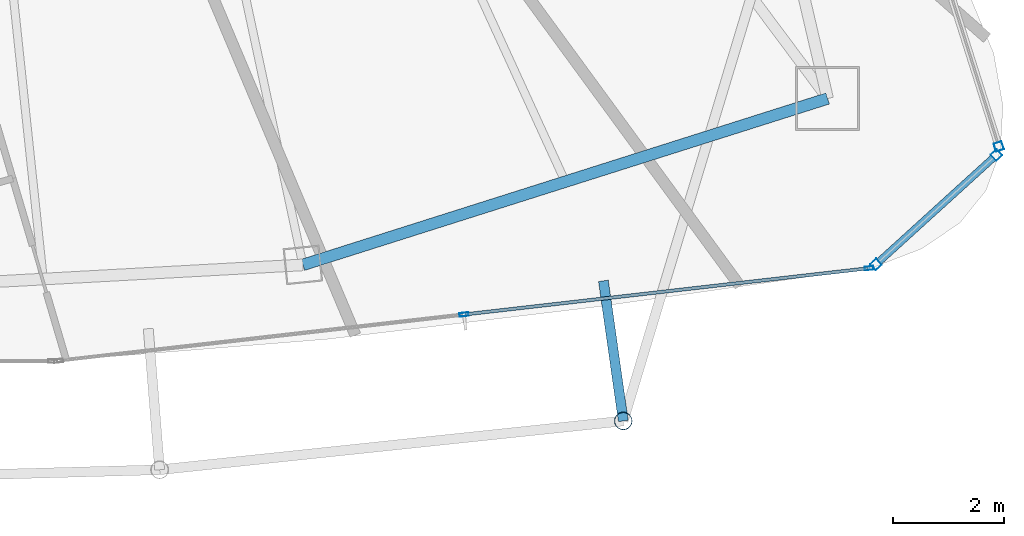
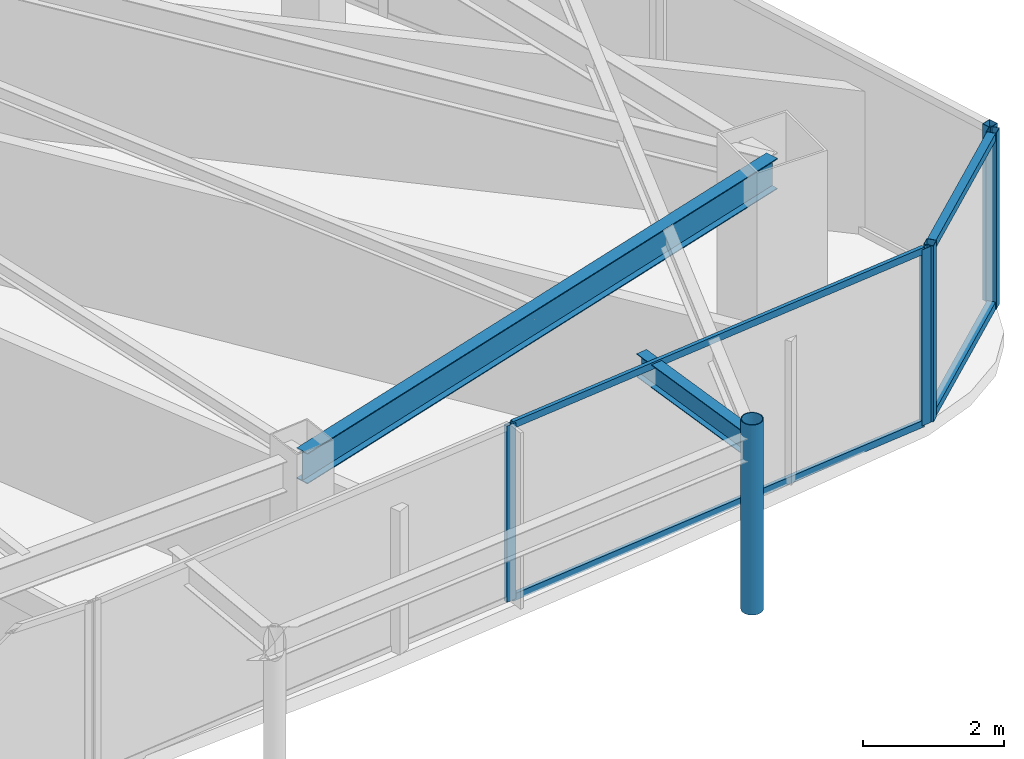
# One storey, part 14 of 28: 10 members, 2 beams, 3 elements without a shape of their own.
"""IFC4 building model written with IfcOpenShell, lengths in metres."""

from ifc_helpers import new_model, si_unit, direction, frame, origin, origin_2d, place, context, subcontext, project, spatial, hollow_rectangle, hollow_circle, i_section, extrude, material, layer, layer_set, material_profile, profile_set, type_object, element, aggregate, save


model = new_model("IFC4")

# Units and contexts
model_context = context("Model", 3, precision=1e-05, world=origin(), true_north=direction((0.0, 1.0)))
body_context = subcontext(model_context, "Body", "Model", "MODEL_VIEW")
ifc_project = project(units=[si_unit("LENGTHUNIT", "METRE"), si_unit("AREAUNIT", "SQUARE_METRE"), si_unit("VOLUMEUNIT", "CUBIC_METRE"), si_unit("PLANEANGLEUNIT", "RADIAN"), si_unit("MASSUNIT", "GRAM", prefix="KILO")], contexts=[model_context])

# Site, building, storey
site_placement = place(None, origin())
site = spatial("IfcSite", under=ifc_project, at=site_placement, CompositionType="ELEMENT")
building_placement = place(site_placement, origin())
building = spatial("IfcBuilding", under=site, at=building_placement, Name="Orvanel Arch Residences", CompositionType="ELEMENT")
storey_placement = place(building_placement, frame((0.0, 0.0, 260.14990234375)))
storey = spatial("IfcBuildingStorey", under=building, at=storey_placement, Name="L74", CompositionType="ELEMENT", Elevation=260.14990234375)

# Curtain wall, members
ifc_material_1 = material(Name="Bronze-anodised aluminium AA6063-T6", Category="aluminium")
ifc_layer_1 = layer(ifc_material_1, 0.18994140625)
ifc_layer_set_1 = layer_set([ifc_layer_1], Name="Bronze-anodised aluminium AA6063-T6")
curtain_wall_type_1 = type_object("IfcCurtainWallType", Name="CW5-CRN-SYS", PredefinedType="NOTDEFINED", material=ifc_layer_set_1)
curtain_wall_1_placement = place(storey_placement, origin())
curtain_wall_1 = element("IfcCurtainWall", 1, at=curtain_wall_1_placement, inside=storey, type_object=curtain_wall_type_1, Name="L74 CW5-CRN-SYS Unitised Curtain Wall", PredefinedType="NOTDEFINED")
ifc_material_profile_1 = material_profile(ifc_material_1, hollow_rectangle(XDim=0.14990234375, YDim=0.14990234375, WallThickness=0.0048828125, at=origin_2d()), Name="ALU150x150x5")
ifc_profile_set_1 = profile_set([ifc_material_profile_1], Name="Bronze-anodised aluminium AA6063-T6")
member_type_1 = type_object("IfcMemberType", Name="MUL-150x150", PredefinedType="MULLION", material=ifc_profile_set_1)
member_1_placement = place(storey_placement, frame((52.672607421875, 7.364501953125, 0.0), z_axis=(0.0, 0.0, 1.0), x_axis=(-0.672365707037, 0.740219127016, 0.0)))
member_1 = element("IfcMember", 2, at=member_1_placement, type_object=member_type_1, Name="CW-S5 mullion 1", PredefinedType="MULLION", context=body_context, shape_type="SweptSolid", body=[
    extrude(hollow_rectangle(XDim=0.14990234375, YDim=0.14990234375, WallThickness=0.0048828125, at=origin_2d()), origin(), (0.0, 0.0, 1.0), 3.06005859375),
])
member_2_placement = place(storey_placement, frame((54.841552734375, 9.33447265625, 0.0), z_axis=(0.0, 0.0, 1.0), x_axis=(-0.672365707037, 0.740219127016, 0.0)))
member_2 = element("IfcMember", 3, at=member_2_placement, type_object=member_type_1, Name="CW-S5 mullion 2", PredefinedType="MULLION", context=body_context, shape_type="SweptSolid", body=[
    extrude(hollow_rectangle(XDim=0.14990234375, YDim=0.14990234375, WallThickness=0.0048828125, at=origin_2d()), origin(), (0.0, 0.0, 1.0), 3.06005859375),
])

# Curtain wall, member
curtain_wall_2_placement = place(storey_placement, origin())
curtain_wall_2 = element("IfcCurtainWall", 4, at=curtain_wall_2_placement, inside=storey, type_object=curtain_wall_type_1, Name="L74 CW5-CRN-SYS Unitised Curtain Wall", PredefinedType="NOTDEFINED")
member_3_placement = place(storey_placement, frame((54.88330078125, 9.488525390625, 0.0), z_axis=(0.0, 0.0, 1.0), x_axis=(-0.953425503375, -0.30162859532, 0.0)))
member_3 = element("IfcMember", 5, at=member_3_placement, type_object=member_type_1, Name="CW-S5 mullion 1", PredefinedType="MULLION", context=body_context, shape_type="SweptSolid", body=[
    extrude(hollow_rectangle(XDim=0.14990234375, YDim=0.14990234375, WallThickness=0.0048828125, at=origin_2d()), origin(), (0.0, 0.0, 1.0), 3.06005859375),
])
aggregate(curtain_wall_2, [member_3])

# Curtain wall, members
ifc_layer_2 = layer(ifc_material_1, 0.175048828125)
ifc_layer_set_2 = layer_set([ifc_layer_2], Name="Bronze-anodised aluminium AA6063-T6")
curtain_wall_type_2 = type_object("IfcCurtainWallType", Name="CW4-HI-SYS", PredefinedType="NOTDEFINED", material=ifc_layer_set_2)
curtain_wall_3_placement = place(storey_placement, origin())
curtain_wall_3 = element("IfcCurtainWall", 6, at=curtain_wall_3_placement, inside=storey, type_object=curtain_wall_type_2, Name="L74 CW4-HI-SYS Unitised Curtain Wall", PredefinedType="NOTDEFINED")
ifc_material_profile_2 = material_profile(ifc_material_1, hollow_rectangle(XDim=0.06494140625, YDim=0.159912109375, WallThickness=0.00390625, at=origin_2d()), Name="ALU160x65x4")
ifc_profile_set_2 = profile_set([ifc_material_profile_2], Name="Bronze-anodised aluminium AA6063-T6")
member_type_2 = type_object("IfcMemberType", Name="MUL-160x65", PredefinedType="MULLION", material=ifc_profile_set_2)
member_4_placement = place(storey_placement, frame((45.25146484375, 6.46142578125, 0.0), z_axis=(0.0, 0.0, 1.0), x_axis=(-0.113510277415, 0.993536822126, 0.0)))
member_4 = element("IfcMember", 7, at=member_4_placement, type_object=member_type_2, Name="CW-S4 mullion 2", PredefinedType="MULLION", context=body_context, shape_type="SweptSolid", body=[
    extrude(hollow_rectangle(XDim=0.06494140625, YDim=0.159912109375, WallThickness=0.00390625, at=origin_2d()), origin(), (0.0, 0.0, 1.0), 3.06005859375),
])
member_5_placement = place(storey_placement, frame((52.5498046875, 7.29541015625, 0.0), z_axis=(0.0, 0.0, 1.0), x_axis=(-0.113510277415, 0.993536822126, 0.0)))
member_5 = element("IfcMember", 8, at=member_5_placement, type_object=member_type_2, Name="CW-S4 mullion 3", PredefinedType="MULLION", context=body_context, shape_type="SweptSolid", body=[
    extrude(hollow_rectangle(XDim=0.06494140625, YDim=0.159912109375, WallThickness=0.00390625, at=origin_2d()), origin(), (0.0, 0.0, 1.0), 3.06005859375),
])

# Beams
ifc_material_2 = material(Name="Structural steel AS/NZS 3679.1 Grade 300 (300 MPa)", Category="steel")
ifc_material_profile_3 = material_profile(ifc_material_2, i_section(OverallWidth=0.177978515625, OverallDepth=0.406005859375, WebThickness=0.0078125, FlangeThickness=0.0126953125, at=origin_2d()), Name="410UB59.7")
ifc_profile_set_3 = profile_set([ifc_material_profile_3], Name="Structural steel AS/NZS 3679.1 Grade 300 (300 MPa)")
beam_type_1 = type_object("IfcBeamType", Name="OB-410UB-EXT", PredefinedType="SPANDREL", material=ifc_profile_set_3)
beam_1_placement = place(storey_placement, frame((47.762939453125, 7.068115234375, 2.857177734375), z_axis=(0.140482825282, -0.990083115602, 0.0), x_axis=(0.990083115602, 0.140482825282, 0.0)))
element("IfcBeam", 9, at=beam_1_placement, inside=storey, type_object=beam_type_1, Name="L74 Outer Frame Radial Tie Beam 08", PredefinedType="SPANDREL", context=body_context, shape_type="SweptSolid", body=[
    extrude(i_section(OverallWidth=0.177978515625, OverallDepth=0.406005859375, WebThickness=0.0078125, FlangeThickness=0.0126953125, at=origin_2d()), origin(), (0.0, 0.0, 1.0), 2.549560546875),
])
ifc_material_profile_4 = material_profile(ifc_material_2, i_section(OverallWidth=0.208984375, OverallDepth=0.532958984375, WebThickness=0.01025390625, FlangeThickness=0.015625, at=origin_2d()), Name="530UB92.4")
ifc_profile_set_4 = profile_set([ifc_material_profile_4], Name="Structural steel AS/NZS 3679.1 Grade 300 (300 MPa)")
beam_type_2 = type_object("IfcBeamType", Name="SP-530UB", PredefinedType="SPANDREL", material=ifc_profile_set_4)
beam_2_placement = place(storey_placement, frame((42.35107421875, 7.35498046875, 2.793212890625), z_axis=(0.953237386592, 0.302222574941, 0.0), x_axis=(-0.302222574941, 0.953237386592, 0.0)))
element("IfcBeam", 10, at=beam_2_placement, inside=storey, type_object=beam_type_2, Name="L74 Perimeter Spandrel Beam 05", PredefinedType="SPANDREL", context=body_context, shape_type="SweptSolid", body=[
    extrude(i_section(OverallWidth=0.208984375, OverallDepth=0.532958984375, WebThickness=0.01025390625, FlangeThickness=0.015625, at=origin_2d()), origin(), (0.0, 0.0, 1.0), 9.91357421875),
])

# Member
ifc_material_3 = material(Name="Structural steel AS/NZS 1163 C350L0 (Grade 350)", Category="steel")
ifc_material_profile_5 = material_profile(ifc_material_3, hollow_circle(Radius=0.162109375, WallThickness=0.0126953125, at=origin_2d()), Name="CHS324x12.7")
ifc_profile_set_5 = profile_set([ifc_material_profile_5], Name="Structural steel AS/NZS 1163 C350L0 (Grade 350)")
member_type_3 = type_object("IfcMemberType", Name="ST-324CHS-EXT", PredefinedType="STRUT", material=ifc_profile_set_5)
member_6_placement = place(storey_placement, frame((48.12109375, 4.5439453125, 0.0), z_axis=(0.0, 0.0, 1.0), x_axis=(1.0, 0.0, 0.0)))
element("IfcMember", 11, at=member_6_placement, inside=storey, type_object=member_type_3, Name="L74 Outer Perimeter Frame Post 08", PredefinedType="STRUT", context=body_context, shape_type="SweptSolid", body=[
    extrude(hollow_circle(Radius=0.162109375, WallThickness=0.0126953125, at=origin_2d()), origin(), (0.0, 0.0, 1.0), 3.300048828125),
])

ifc_material_profile_6 = material_profile(ifc_material_1, hollow_rectangle(XDim=0.06005859375, YDim=0.1201171875, WallThickness=0.00341796875, at=origin_2d()), Name="ALU120x60x3.5")
ifc_profile_set_6 = profile_set([ifc_material_profile_6], Name="Bronze-anodised aluminium AA6063-T6")
member_type_4 = type_object("IfcMemberType", Name="TRN-120x60", PredefinedType="USERDEFINED", material=ifc_profile_set_6)
member_7_placement = place(storey_placement, frame((45.28369140625, 6.465087890625, 0.030029296875), z_axis=(0.993537103282, 0.113507816484, 0.0), x_axis=(-0.113507816484, 0.993537103282, 0.0)))
member_7 = element("IfcMember", 12, at=member_7_placement, type_object=member_type_4, Name="CW-S4 transom 2.1", ObjectType="TRANSOM", PredefinedType="USERDEFINED", context=body_context, shape_type="SweptSolid", body=[
    extrude(hollow_rectangle(XDim=0.06005859375, YDim=0.1201171875, WallThickness=0.00341796875, at=origin_2d()), origin(), (0.0, 0.0, 1.0), 7.28076171875),
])

member_8_placement = place(storey_placement, frame((45.28369140625, 6.465087890625, 3.030029296875), z_axis=(0.993537103282, 0.113507816484, 0.0), x_axis=(-0.113507816484, 0.993537103282, 0.0)))
member_8 = element("IfcMember", 13, at=member_8_placement, type_object=member_type_4, Name="CW-S4 transom 2.2", ObjectType="TRANSOM", PredefinedType="USERDEFINED", context=body_context, shape_type="SweptSolid", body=[
    extrude(hollow_rectangle(XDim=0.06005859375, YDim=0.1201171875, WallThickness=0.00341796875, at=origin_2d()), origin(), (0.0, 0.0, 1.0), 7.28076171875),
])

aggregate(curtain_wall_3, [member_4, member_5, member_7, member_8])

ifc_material_profile_7 = material_profile(ifc_material_1, hollow_rectangle(XDim=0.1298828125, YDim=0.1298828125, WallThickness=0.00439453125, at=origin_2d()), Name="ALU130x130x4.5")
ifc_profile_set_7 = profile_set([ifc_material_profile_7], Name="Bronze-anodised aluminium AA6063-T6")
member_type_5 = type_object("IfcMemberType", Name="TRN-130x130", PredefinedType="USERDEFINED", material=ifc_profile_set_7)
member_9_placement = place(storey_placement, frame((52.72802734375, 7.414794921875, 0.065185546875), z_axis=(0.74019035374, 0.672397382677, 0.0), x_axis=(-0.672397382677, 0.74019035374, 0.0)))
member_9 = element("IfcMember", 14, at=member_9_placement, type_object=member_type_5, Name="CW-S5 transom 1.1", ObjectType="TRANSOM", PredefinedType="USERDEFINED", context=body_context, shape_type="SweptSolid", body=[
    extrude(hollow_rectangle(XDim=0.1298828125, YDim=0.1298828125, WallThickness=0.00439453125, at=origin_2d()), origin(), (0.0, 0.0, 1.0), 2.7802734375),
])

member_10_placement = place(storey_placement, frame((52.72802734375, 7.414794921875, 2.9951171875), z_axis=(0.74019035374, 0.672397382677, 0.0), x_axis=(-0.672397382677, 0.74019035374, 0.0)))
member_10 = element("IfcMember", 15, at=member_10_placement, type_object=member_type_5, Name="CW-S5 transom 1.2", ObjectType="TRANSOM", PredefinedType="USERDEFINED", context=body_context, shape_type="SweptSolid", body=[
    extrude(hollow_rectangle(XDim=0.1298828125, YDim=0.1298828125, WallThickness=0.00439453125, at=origin_2d()), origin(), (0.0, 0.0, 1.0), 2.7802734375),
])

aggregate(curtain_wall_1, [member_1, member_2, member_9, member_10])

save(model, "model.ifc")
